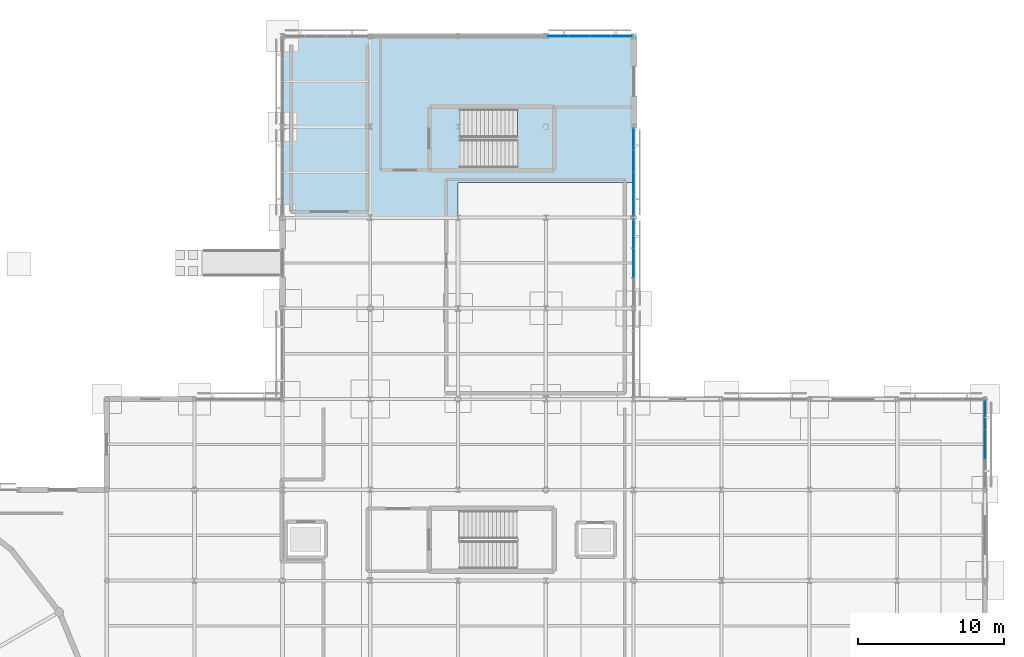
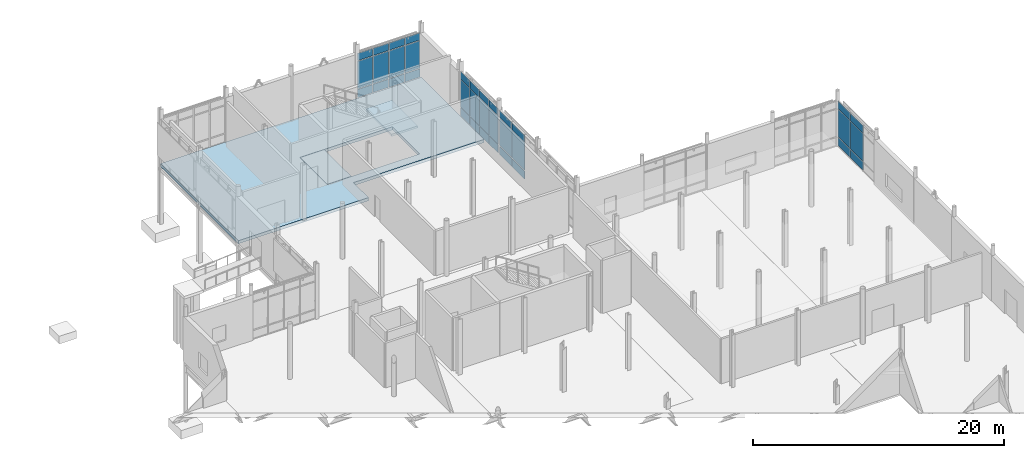
# One storey, part 66 of 98: 36 plates, 3 slabs, 5 elements without a shape of their own.
"""IFC4 building model written with IfcOpenShell, lengths in metres."""

import ifcopenshell
import ifcopenshell.guid

model = None  # the IFC model being written
_history = None  # IfcOwnerHistory: only IFC2X3 demands one
_inside = {}  # id of a spatial element -> (the spatial element, [elements in it])
_under = {}  # id of a project, library or spatial element -> (it, [spatial elements below it])
_declared = {}  # id of a project -> (the project, [libraries it declares])
_typed = {}  # id of a type object -> (the type object, [elements of that type])
_made_of = {}  # id of a material, layer set ... -> (it, [elements and type objects made of it])


def new_model(schema):
    """Start an empty IFC model of exactly this schema.

    Asked for "IFC4X3", IfcOpenShell would pick the latest addendum, in which some entities
    have other attributes; the version numbers below select the first issue.
    IFC2X3 requires an IfcOwnerHistory on every rooted entity: one is made here for all.
    """
    global model, _history
    if schema == "IFC4X3":
        model = ifcopenshell.file(schema_version=(4, 3, 0, 0))
    else:
        model = ifcopenshell.file(schema=schema)
    _inside.clear()
    _under.clear()
    _declared.clear()
    _typed.clear()
    _made_of.clear()
    _history = None
    if model.schema == "IFC2X3":
        org = make("IfcOrganization", Name="unknown")
        user = make(
            "IfcPersonAndOrganization",
            ThePerson=make("IfcPerson", FamilyName="unknown"),
            TheOrganization=org,
        )
        app = make(
            "IfcApplication",
            ApplicationDeveloper=org,
            Version="unknown",
            ApplicationFullName="unknown",
            ApplicationIdentifier="unknown",
        )
        _history = make(
            "IfcOwnerHistory",
            OwningUser=user,
            OwningApplication=app,
            ChangeAction="ADDED",
            CreationDate=0,
        )
    return model


def make(cls, **values):
    """One entity of the class cls with the attributes given. An attribute that is None is left unset."""
    return model.create_entity(
        cls, **{name: value for name, value in values.items() if value is not None}
    )


def rooted(cls, **values):
    """An entity with a GlobalId (a new one), such as an element, a storey or a relation."""
    return make(cls, GlobalId=ifcopenshell.guid.new(), OwnerHistory=_history, **values)


def si_unit(unit_type, name, prefix=None):
    """IfcSIUnit, for example si_unit("LENGTHUNIT", "METRE", prefix="MILLI")."""
    return make("IfcSIUnit", UnitType=unit_type, Prefix=prefix, Name=name)


def assignment(units):
    """IfcUnitAssignment: the units of a project."""
    return None if units is None else make("IfcUnitAssignment", Units=units)


def point(xyz):
    """IfcCartesianPoint."""
    return None if xyz is None else make("IfcCartesianPoint", Coordinates=xyz)


def direction(xyz):
    """IfcDirection."""
    return None if xyz is None else make("IfcDirection", DirectionRatios=xyz)


def frame(location, z_axis=None, x_axis=None):
    """IfcAxis2Placement3D, a coordinate frame: its origin and axes. An axis left out is left unset."""
    return make(
        "IfcAxis2Placement3D",
        Location=point(location),
        Axis=direction(z_axis),
        RefDirection=direction(x_axis),
    )


def frame_2d(location, x_axis=None):
    """IfcAxis2Placement2D, a coordinate frame in the plane: its origin and x axis."""
    return make(
        "IfcAxis2Placement2D", Location=point(location), RefDirection=direction(x_axis)
    )


def origin():
    """The frame at (0, 0, 0) with its axes left unset."""
    return frame((0.0, 0.0, 0.0))


def origin_2d():
    """The frame at (0, 0) in the plane with its x axis left unset."""
    return frame_2d((0.0, 0.0))


def place(relative_to, where):
    """IfcLocalPlacement: puts the frame where relative to a parent placement (None: the world)."""
    return make(
        "IfcLocalPlacement", PlacementRelTo=relative_to, RelativePlacement=where
    )


def context(
    kind, dimensions, precision=None, world=None, true_north=None, identifier=None
):
    """IfcGeometricRepresentationContext, for example the 3D "Model" context."""
    return make(
        "IfcGeometricRepresentationContext",
        ContextIdentifier=identifier,
        ContextType=kind,
        CoordinateSpaceDimension=dimensions,
        Precision=precision,
        WorldCoordinateSystem=world,
        TrueNorth=true_north,
    )


def subcontext(parent, identifier, kind, view, scale=None):
    """IfcGeometricRepresentationSubContext, for example "Body" below "Model"."""
    return make(
        "IfcGeometricRepresentationSubContext",
        ContextIdentifier=identifier,
        ContextType=kind,
        ParentContext=parent,
        TargetScale=scale,
        TargetView=view,
    )


def project(units=None, contexts=None):
    """IfcProject with its units and contexts."""
    return rooted(
        "IfcProject",
        Name="project",
        RepresentationContexts=contexts,
        UnitsInContext=assignment(units),
    )


def spatial(cls, under=None, at=None, **own):
    """A site, building, storey or space (cls), placed at a placement, below another one or the project."""
    s = rooted(cls, ObjectPlacement=at, **own)
    if under is not None:
        _under.setdefault(under.id(), (under, []))[1].append(s)
    return s


def polyline(points):
    """IfcPolyline through the points."""
    return make("IfcPolyline", Points=[point(p) for p in points])


def profile(cls, at=None, kind="AREA", **sizes):
    """A parametric profile (cls). Its sizes go by their IFC names, for example OverallWidth=200.0."""
    return make(cls, ProfileType=kind, Position=at, **sizes)


def rectangle(**sizes):
    """IfcRectangleProfileDef."""
    return profile("IfcRectangleProfileDef", **sizes)


def outline(outer, holes=None, kind="AREA"):
    """IfcArbitraryClosedProfileDef: a profile drawn as a closed curve; with holes, ...WithVoids."""
    if holes is None:
        return make("IfcArbitraryClosedProfileDef", ProfileType=kind, OuterCurve=outer)
    return make(
        "IfcArbitraryProfileDefWithVoids",
        ProfileType=kind,
        OuterCurve=outer,
        InnerCurves=holes,
    )


def extrude(swept, where, along, depth):
    """IfcExtrudedAreaSolid: the profile swept, set in the frame where, extruded along a direction by depth."""
    return make(
        "IfcExtrudedAreaSolid",
        SweptArea=swept,
        Position=where,
        ExtrudedDirection=direction(along),
        Depth=depth,
    )


def shape(context_of_items, identifier, shape_type, items):
    """IfcShapeRepresentation: the items that make up one representation, for example the "Body"."""
    return make(
        "IfcShapeRepresentation",
        ContextOfItems=context_of_items,
        RepresentationIdentifier=identifier,
        RepresentationType=shape_type,
        Items=items,
    )


def material(Name=None, Category=None):
    """IfcMaterial."""
    return make("IfcMaterial", Name=Name, Category=Category)


def layer(
    of_material, thickness, ventilated=None, Name=None, Category=None, Priority=None
):
    """IfcMaterialLayer: one layer of a wall or slab, of a material (None: an air gap)."""
    return make(
        "IfcMaterialLayer",
        Material=of_material,
        LayerThickness=thickness,
        IsVentilated=ventilated,
        Name=Name,
        Category=Category,
        Priority=Priority,
    )


def layer_set(layers, Name=None):
    """IfcMaterialLayerSet."""
    return make("IfcMaterialLayerSet", MaterialLayers=layers, LayerSetName=Name)


def made_of(thing, what):
    """Note that an element or type object is made of a material, layer set ...; save() writes the relation."""
    if what is not None:
        _made_of.setdefault(what.id(), (what, []))[1].append(thing)
    return thing


def type_object(cls, material=None, **own):
    """A type object (cls), such as IfcWallType, which elements share."""
    return made_of(rooted(cls, **own), material)


def element(
    cls,
    number,
    at=None,
    inside=None,
    cuts=None,
    type_object=None,
    material=None,
    context=None,
    identifier="Body",
    shape_type=None,
    held_by="IfcProductDefinitionShape",
    body=None,
    shapes=None,
    **own,
):
    """One element of the class cls, such as IfcWall. Its Tag is "e" and its number.

    at: its placement. inside: the storey or other place that contains it. cuts: it is an
    opening in that element (IfcRelVoidsElement). A single representation is given by context,
    identifier, shape_type and body (its items); several are given by shapes. held_by: the class
    of the entity that holds the representations. save() writes the other relations.
    """
    e = rooted(cls, Tag="e%d" % number, ObjectPlacement=at, **own)
    if body is not None:
        shapes = [shape(context, identifier, shape_type, body)]
    if shapes is not None:
        e.Representation = make(held_by, Representations=shapes)
    if inside is not None:
        _inside.setdefault(inside.id(), (inside, []))[1].append(e)
    if cuts is not None:
        rooted(
            "IfcRelVoidsElement", RelatingBuildingElement=cuts, RelatedOpeningElement=e
        )
    if type_object is not None:
        _typed.setdefault(type_object.id(), (type_object, []))[1].append(e)
    return made_of(e, material)


def aggregate(whole, parts):
    """IfcRelAggregates: a whole, such as a stair, and the parts it consists of."""
    return rooted("IfcRelAggregates", RelatingObject=whole, RelatedObjects=parts)


def save(model, path):
    """Write the relations noted so far, then the file.

    IfcRelAggregates (storeys below a building ...), IfcRelContainedInSpatialStructure (elements
    in a storey), IfcRelDefinesByType, IfcRelAssociatesMaterial and IfcRelDeclares: one each for
    every whole, place, type object, material and project.
    """
    for whole, parts in _under.values():
        aggregate(whole, parts)
    for where, things in _inside.values():
        rooted(
            "IfcRelContainedInSpatialStructure",
            RelatedElements=things,
            RelatingStructure=where,
        )
    for kind, things in _typed.values():
        rooted("IfcRelDefinesByType", RelatedObjects=things, RelatingType=kind)
    for what, things in _made_of.values():
        rooted("IfcRelAssociatesMaterial", RelatedObjects=things, RelatingMaterial=what)
    for by, libraries in _declared.values():
        rooted("IfcRelDeclares", RelatingContext=by, RelatedDefinitions=libraries)
    model.write(path)


model = new_model("IFC4")

# Units and contexts
model_context = context("Model", 3, precision=1e-05, world=origin(), true_north=direction((0.0, 1.0)))
body_context = subcontext(model_context, "Body", "Model", "MODEL_VIEW")
ifc_project = project(units=[si_unit("LENGTHUNIT", "METRE"), si_unit("AREAUNIT", "SQUARE_METRE"), si_unit("VOLUMEUNIT", "CUBIC_METRE"), si_unit("PLANEANGLEUNIT", "RADIAN"), si_unit("MASSUNIT", "GRAM", prefix="KILO")], contexts=[model_context])

# Site, building, storey
site_placement = place(None, origin())
site = spatial("IfcSite", under=ifc_project, at=site_placement, CompositionType="ELEMENT")
building_placement = place(site_placement, origin())
building = spatial("IfcBuilding", under=site, at=building_placement, Name="Mirzam Square Science Centre", CompositionType="ELEMENT")
storey_placement = place(building_placement, origin())
storey = spatial("IfcBuildingStorey", under=building, at=storey_placement, Name="L00", CompositionType="ELEMENT", Elevation=0.0)

# Curtain wall, plates
ifc_material_1 = material(Name="Anodised Aluminium and Low-E Solar Glass", Category="aluminium")
ifc_layer_1 = layer(ifc_material_1, 0.239990234375)
ifc_layer_set_1 = layer_set([ifc_layer_1], Name="CW-EAST-B")
curtain_wall_type_1 = type_object("IfcCurtainWallType", Name="CW-EAST-B", PredefinedType="USERDEFINED", material=ifc_layer_set_1)
curtain_wall_1_placement = place(storey_placement, origin())
curtain_wall_1 = element("IfcCurtainWall", 1, at=curtain_wall_1_placement, inside=storey, type_object=curtain_wall_type_1, Name="L00 unitised curtain wall 77", ObjectType="UNITISED CURTAIN WALL", PredefinedType="USERDEFINED")
ifc_material_2 = material(Name="Double-Silver Low-E Insulated Solar Glass", Category="glass")
ifc_layer_2 = layer(ifc_material_2, 0.028076171875)
ifc_layer_set_2 = layer_set([ifc_layer_2], Name="CWP-GLZ-28")
plate_type_1 = type_object("IfcPlateType", Name="CWP-GLZ-28", PredefinedType="CURTAIN_PANEL", material=ifc_layer_set_2)
plate_1_placement = place(storey_placement, frame((138.0, 96.10009765625, 0.074951171875), z_axis=(0.0, 0.0, 1.0), x_axis=(0.0, 1.0, 0.0)))
plate_1 = element("IfcPlate", 2, at=plate_1_placement, type_object=plate_type_1, Name="CW-06 panel 2.1", PredefinedType="CURTAIN_PANEL", context=body_context, shape_type="SweptSolid", body=[
    extrude(rectangle(XDim=1.955078125, YDim=0.028076171875, at=origin_2d()), origin(), (0.0, 0.0, 1.0), 0.78759765625),
])
plate_2_placement = place(storey_placement, frame((138.0, 96.10009765625, 0.9375), z_axis=(0.0, 0.0, 1.0), x_axis=(0.0, 1.0, 0.0)))
plate_2 = element("IfcPlate", 3, at=plate_2_placement, type_object=plate_type_1, Name="CW-06 panel 2.2", PredefinedType="CURTAIN_PANEL", context=body_context, shape_type="SweptSolid", body=[
    extrude(rectangle(XDim=1.955078125, YDim=0.028076171875, at=origin_2d()), origin(), (0.0, 0.0, 1.0), 2.6650390625),
])
plate_3_placement = place(storey_placement, frame((138.0, 96.10009765625, 3.677490234375), z_axis=(0.0, 0.0, 1.0), x_axis=(0.0, 1.0, 0.0)))
plate_3 = element("IfcPlate", 4, at=plate_3_placement, type_object=plate_type_1, Name="CW-06 panel 2.3", PredefinedType="CURTAIN_PANEL", context=body_context, shape_type="SweptSolid", body=[
    extrude(rectangle(XDim=1.955078125, YDim=0.028076171875, at=origin_2d()), origin(), (0.0, 0.0, 1.0), 0.6875),
])
plate_4_placement = place(storey_placement, frame((138.0, 98.111328125, 0.074951171875), z_axis=(0.0, 0.0, 1.0), x_axis=(0.0, 1.0, 0.0)))
plate_4 = element("IfcPlate", 5, at=plate_4_placement, type_object=plate_type_1, Name="CW-06 panel 3.1", PredefinedType="CURTAIN_PANEL", context=body_context, shape_type="SweptSolid", body=[
    extrude(rectangle(XDim=1.91748046875, YDim=0.028076171875, at=origin_2d()), origin(), (0.0, 0.0, 1.0), 0.78759765625),
])
plate_5_placement = place(storey_placement, frame((138.0, 98.111328125, 0.9375), z_axis=(0.0, 0.0, 1.0), x_axis=(0.0, 1.0, 0.0)))
plate_5 = element("IfcPlate", 6, at=plate_5_placement, type_object=plate_type_1, Name="CW-06 panel 3.2", PredefinedType="CURTAIN_PANEL", context=body_context, shape_type="SweptSolid", body=[
    extrude(rectangle(XDim=1.91748046875, YDim=0.028076171875, at=origin_2d()), origin(), (0.0, 0.0, 1.0), 2.6650390625),
])
plate_6_placement = place(storey_placement, frame((138.0, 98.111328125, 3.677490234375), z_axis=(0.0, 0.0, 1.0), x_axis=(0.0, 1.0, 0.0)))
plate_6 = element("IfcPlate", 7, at=plate_6_placement, type_object=plate_type_1, Name="CW-06 panel 3.3", PredefinedType="CURTAIN_PANEL", context=body_context, shape_type="SweptSolid", body=[
    extrude(rectangle(XDim=1.91748046875, YDim=0.028076171875, at=origin_2d()), origin(), (0.0, 0.0, 1.0), 0.6875),
])
aggregate(curtain_wall_1, [plate_1, plate_2, plate_3, plate_4, plate_5, plate_6])

ifc_layer_3 = layer(ifc_material_1, 0.219970703125)
ifc_layer_set_3 = layer_set([ifc_layer_3], Name="CW-OBS-A")
curtain_wall_type_2 = type_object("IfcCurtainWallType", Name="CW-OBS-A", PredefinedType="USERDEFINED", material=ifc_layer_set_3)
curtain_wall_2_placement = place(storey_placement, origin())
curtain_wall_2 = element("IfcCurtainWall", 8, at=curtain_wall_2_placement, inside=storey, type_object=curtain_wall_type_2, Name="L00 unitised curtain wall 79", ObjectType="UNITISED CURTAIN WALL", PredefinedType="USERDEFINED")
ifc_material_3 = material(Name="Triple-Glazed Acoustic Low-E Solar Glass", Category="glass")
ifc_layer_4 = layer(ifc_material_3, 0.031982421875)
ifc_layer_set_4 = layer_set([ifc_layer_4], Name="CWP-GLZ-32")
plate_type_2 = type_object("IfcPlateType", Name="CWP-GLZ-32", PredefinedType="CURTAIN_PANEL", material=ifc_layer_set_4)
plate_7_placement = place(storey_placement, frame((138.0, 100.03125, 0.06005859375), z_axis=(0.0, 0.0, 1.0), x_axis=(0.0, 1.0, 0.0)))
plate_7 = element("IfcPlate", 9, at=plate_7_placement, type_object=plate_type_2, Name="CW-07 panel 1.1", PredefinedType="CURTAIN_PANEL", context=body_context, shape_type="SweptSolid", body=[
    extrude(rectangle(XDim=1.4326171875, YDim=0.031982421875, at=origin_2d()), origin(), (0.0, 0.0, 1.0), 0.81005859375),
])
plate_8_placement = place(storey_placement, frame((138.0, 100.03125, 0.93017578125), z_axis=(0.0, 0.0, 1.0), x_axis=(0.0, 1.0, 0.0)))
plate_8 = element("IfcPlate", 10, at=plate_8_placement, type_object=plate_type_2, Name="CW-07 panel 1.2", PredefinedType="CURTAIN_PANEL", context=body_context, shape_type="SweptSolid", body=[
    extrude(rectangle(XDim=1.4326171875, YDim=0.031982421875, at=origin_2d()), origin(), (0.0, 0.0, 1.0), 2.679931640625),
])
plate_9_placement = place(storey_placement, frame((138.0, 100.03125, 3.669921875), z_axis=(0.0, 0.0, 1.0), x_axis=(0.0, 1.0, 0.0)))
plate_9 = element("IfcPlate", 11, at=plate_9_placement, type_object=plate_type_2, Name="CW-07 panel 1.3", PredefinedType="CURTAIN_PANEL", context=body_context, shape_type="SweptSolid", body=[
    extrude(rectangle(XDim=1.4326171875, YDim=0.031982421875, at=origin_2d()), origin(), (0.0, 0.0, 1.0), 0.7099609375),
])
plate_10_placement = place(storey_placement, frame((138.0, 101.538818359375, 0.06005859375), z_axis=(0.0, 0.0, 1.0), x_axis=(0.0, 1.0, 0.0)))
plate_10 = element("IfcPlate", 12, at=plate_10_placement, type_object=plate_type_2, Name="CW-07 panel 2.1", PredefinedType="CURTAIN_PANEL", context=body_context, shape_type="SweptSolid", body=[
    extrude(rectangle(XDim=1.46240234375, YDim=0.031982421875, at=origin_2d()), origin(), (0.0, 0.0, 1.0), 0.81005859375),
])
plate_11_placement = place(storey_placement, frame((138.0, 101.538818359375, 0.93017578125), z_axis=(0.0, 0.0, 1.0), x_axis=(0.0, 1.0, 0.0)))
plate_11 = element("IfcPlate", 13, at=plate_11_placement, type_object=plate_type_2, Name="CW-07 panel 2.2", PredefinedType="CURTAIN_PANEL", context=body_context, shape_type="SweptSolid", body=[
    extrude(rectangle(XDim=1.46240234375, YDim=0.031982421875, at=origin_2d()), origin(), (0.0, 0.0, 1.0), 2.679931640625),
])
plate_12_placement = place(storey_placement, frame((138.0, 101.538818359375, 3.669921875), z_axis=(0.0, 0.0, 1.0), x_axis=(0.0, 1.0, 0.0)))
plate_12 = element("IfcPlate", 14, at=plate_12_placement, type_object=plate_type_2, Name="CW-07 panel 2.3", PredefinedType="CURTAIN_PANEL", context=body_context, shape_type="SweptSolid", body=[
    extrude(rectangle(XDim=1.46240234375, YDim=0.031982421875, at=origin_2d()), origin(), (0.0, 0.0, 1.0), 0.7099609375),
])
plate_13_placement = place(storey_placement, frame((138.0, 103.061279296875, 0.06005859375), z_axis=(0.0, 0.0, 1.0), x_axis=(0.0, 1.0, 0.0)))
plate_13 = element("IfcPlate", 15, at=plate_13_placement, type_object=plate_type_2, Name="CW-07 panel 3.1", PredefinedType="CURTAIN_PANEL", context=body_context, shape_type="SweptSolid", body=[
    extrude(rectangle(XDim=1.46240234375, YDim=0.031982421875, at=origin_2d()), origin(), (0.0, 0.0, 1.0), 0.81005859375),
])
plate_14_placement = place(storey_placement, frame((138.0, 103.061279296875, 0.93017578125), z_axis=(0.0, 0.0, 1.0), x_axis=(0.0, 1.0, 0.0)))
plate_14 = element("IfcPlate", 16, at=plate_14_placement, type_object=plate_type_2, Name="CW-07 panel 3.2", PredefinedType="CURTAIN_PANEL", context=body_context, shape_type="SweptSolid", body=[
    extrude(rectangle(XDim=1.46240234375, YDim=0.031982421875, at=origin_2d()), origin(), (0.0, 0.0, 1.0), 2.679931640625),
])
plate_15_placement = place(storey_placement, frame((138.0, 103.061279296875, 3.669921875), z_axis=(0.0, 0.0, 1.0), x_axis=(0.0, 1.0, 0.0)))
plate_15 = element("IfcPlate", 17, at=plate_15_placement, type_object=plate_type_2, Name="CW-07 panel 3.3", PredefinedType="CURTAIN_PANEL", context=body_context, shape_type="SweptSolid", body=[
    extrude(rectangle(XDim=1.46240234375, YDim=0.031982421875, at=origin_2d()), origin(), (0.0, 0.0, 1.0), 0.7099609375),
])
plate_16_placement = place(storey_placement, frame((138.0, 104.56884765625, 0.06005859375), z_axis=(0.0, 0.0, 1.0), x_axis=(0.0, 1.0, 0.0)))
plate_16 = element("IfcPlate", 18, at=plate_16_placement, type_object=plate_type_2, Name="CW-07 panel 4.1", PredefinedType="CURTAIN_PANEL", context=body_context, shape_type="SweptSolid", body=[
    extrude(rectangle(XDim=1.4326171875, YDim=0.031982421875, at=origin_2d()), origin(), (0.0, 0.0, 1.0), 0.81005859375),
])
plate_17_placement = place(storey_placement, frame((138.0, 104.56884765625, 0.93017578125), z_axis=(0.0, 0.0, 1.0), x_axis=(0.0, 1.0, 0.0)))
plate_17 = element("IfcPlate", 19, at=plate_17_placement, type_object=plate_type_2, Name="CW-07 panel 4.2", PredefinedType="CURTAIN_PANEL", context=body_context, shape_type="SweptSolid", body=[
    extrude(rectangle(XDim=1.4326171875, YDim=0.031982421875, at=origin_2d()), origin(), (0.0, 0.0, 1.0), 2.679931640625),
])
plate_18_placement = place(storey_placement, frame((138.0, 104.56884765625, 3.669921875), z_axis=(0.0, 0.0, 1.0), x_axis=(0.0, 1.0, 0.0)))
plate_18 = element("IfcPlate", 20, at=plate_18_placement, type_object=plate_type_2, Name="CW-07 panel 4.3", PredefinedType="CURTAIN_PANEL", context=body_context, shape_type="SweptSolid", body=[
    extrude(rectangle(XDim=1.4326171875, YDim=0.031982421875, at=origin_2d()), origin(), (0.0, 0.0, 1.0), 0.7099609375),
])
aggregate(curtain_wall_2, [plate_7, plate_8, plate_9, plate_10, plate_11, plate_12, plate_13, plate_14, plate_15, plate_16, plate_17, plate_18])

curtain_wall_3_placement = place(storey_placement, origin())
curtain_wall_3 = element("IfcCurtainWall", 21, at=curtain_wall_3_placement, inside=storey, type_object=curtain_wall_type_2, Name="L00 unitised curtain wall 74", ObjectType="UNITISED CURTAIN WALL", PredefinedType="USERDEFINED")
ifc_material_4 = material(Name="Laminated Low-Iron Observatory Solar Glass", Category="glass")
ifc_layer_5 = layer(ifc_material_4, 0.035888671875)
ifc_layer_set_5 = layer_set([ifc_layer_5], Name="CWP-GLZ-36")
plate_type_3 = type_object("IfcPlateType", Name="CWP-GLZ-36", PredefinedType="CURTAIN_PANEL", material=ifc_layer_set_5)
plate_19_placement = place(storey_placement, frame((137.1923828125, 111.60009765625, 0.06494140625), z_axis=(0.0, 0.0, 1.0), x_axis=(-1.0, 0.0, 0.0)))
plate_19 = element("IfcPlate", 22, at=plate_19_placement, type_object=plate_type_3, Name="CW-07 panel 1.1", PredefinedType="CURTAIN_PANEL", context=body_context, shape_type="SweptSolid", body=[
    extrude(rectangle(XDim=1.375, YDim=0.035888671875, at=origin_2d()), origin(), (0.0, 0.0, 1.0), 0.802490234375),
])
plate_20_placement = place(storey_placement, frame((137.1923828125, 111.60009765625, 0.9326171875), z_axis=(0.0, 0.0, 1.0), x_axis=(-1.0, 0.0, 0.0)))
plate_20 = element("IfcPlate", 23, at=plate_20_placement, type_object=plate_type_3, Name="CW-07 panel 1.2", PredefinedType="CURTAIN_PANEL", context=body_context, shape_type="SweptSolid", body=[
    extrude(rectangle(XDim=1.375, YDim=0.035888671875, at=origin_2d()), origin(), (0.0, 0.0, 1.0), 2.675048828125),
])
plate_21_placement = place(storey_placement, frame((137.1923828125, 111.60009765625, 3.67236328125), z_axis=(0.0, 0.0, 1.0), x_axis=(-1.0, 0.0, 0.0)))
plate_21 = element("IfcPlate", 24, at=plate_21_placement, type_object=plate_type_3, Name="CW-07 panel 1.3", PredefinedType="CURTAIN_PANEL", context=body_context, shape_type="SweptSolid", body=[
    extrude(rectangle(XDim=1.375, YDim=0.035888671875, at=origin_2d()), origin(), (0.0, 0.0, 1.0), 0.702392578125),
])
plate_22_placement = place(storey_placement, frame((135.736328125, 111.60009765625, 0.06494140625), z_axis=(0.0, 0.0, 1.0), x_axis=(-1.0, 0.0, 0.0)))
plate_22 = element("IfcPlate", 25, at=plate_22_placement, type_object=plate_type_3, Name="CW-07 panel 2.1", PredefinedType="CURTAIN_PANEL", context=body_context, shape_type="SweptSolid", body=[
    extrude(rectangle(XDim=1.407470703125, YDim=0.035888671875, at=origin_2d()), origin(), (0.0, 0.0, 1.0), 0.802490234375),
])
plate_23_placement = place(storey_placement, frame((135.736328125, 111.60009765625, 0.9326171875), z_axis=(0.0, 0.0, 1.0), x_axis=(-1.0, 0.0, 0.0)))
plate_23 = element("IfcPlate", 26, at=plate_23_placement, type_object=plate_type_3, Name="CW-07 panel 2.2", PredefinedType="CURTAIN_PANEL", context=body_context, shape_type="SweptSolid", body=[
    extrude(rectangle(XDim=1.407470703125, YDim=0.035888671875, at=origin_2d()), origin(), (0.0, 0.0, 1.0), 2.675048828125),
])
plate_24_placement = place(storey_placement, frame((135.736328125, 111.60009765625, 3.67236328125), z_axis=(0.0, 0.0, 1.0), x_axis=(-1.0, 0.0, 0.0)))
plate_24 = element("IfcPlate", 27, at=plate_24_placement, type_object=plate_type_3, Name="CW-07 panel 2.3", PredefinedType="CURTAIN_PANEL", context=body_context, shape_type="SweptSolid", body=[
    extrude(rectangle(XDim=1.407470703125, YDim=0.035888671875, at=origin_2d()), origin(), (0.0, 0.0, 1.0), 0.702392578125),
])
plate_25_placement = place(storey_placement, frame((134.263671875, 111.60009765625, 0.06494140625), z_axis=(0.0, 0.0, 1.0), x_axis=(-1.0, 0.0, 0.0)))
plate_25 = element("IfcPlate", 28, at=plate_25_placement, type_object=plate_type_3, Name="CW-07 panel 3.1", PredefinedType="CURTAIN_PANEL", context=body_context, shape_type="SweptSolid", body=[
    extrude(rectangle(XDim=1.407470703125, YDim=0.035888671875, at=origin_2d()), origin(), (0.0, 0.0, 1.0), 0.802490234375),
])
plate_26_placement = place(storey_placement, frame((134.263671875, 111.60009765625, 0.9326171875), z_axis=(0.0, 0.0, 1.0), x_axis=(-1.0, 0.0, 0.0)))
plate_26 = element("IfcPlate", 29, at=plate_26_placement, type_object=plate_type_3, Name="CW-07 panel 3.2", PredefinedType="CURTAIN_PANEL", context=body_context, shape_type="SweptSolid", body=[
    extrude(rectangle(XDim=1.407470703125, YDim=0.035888671875, at=origin_2d()), origin(), (0.0, 0.0, 1.0), 2.675048828125),
])
plate_27_placement = place(storey_placement, frame((134.263671875, 111.60009765625, 3.67236328125), z_axis=(0.0, 0.0, 1.0), x_axis=(-1.0, 0.0, 0.0)))
plate_27 = element("IfcPlate", 30, at=plate_27_placement, type_object=plate_type_3, Name="CW-07 panel 3.3", PredefinedType="CURTAIN_PANEL", context=body_context, shape_type="SweptSolid", body=[
    extrude(rectangle(XDim=1.407470703125, YDim=0.035888671875, at=origin_2d()), origin(), (0.0, 0.0, 1.0), 0.702392578125),
])
plate_28_placement = place(storey_placement, frame((132.8076171875, 111.60009765625, 0.06494140625), z_axis=(0.0, 0.0, 1.0), x_axis=(-1.0, 0.0, 0.0)))
plate_28 = element("IfcPlate", 31, at=plate_28_placement, type_object=plate_type_3, Name="CW-07 panel 4.1", PredefinedType="CURTAIN_PANEL", context=body_context, shape_type="SweptSolid", body=[
    extrude(rectangle(XDim=1.375, YDim=0.035888671875, at=origin_2d()), origin(), (0.0, 0.0, 1.0), 0.802490234375),
])
plate_29_placement = place(storey_placement, frame((132.8076171875, 111.60009765625, 0.9326171875), z_axis=(0.0, 0.0, 1.0), x_axis=(-1.0, 0.0, 0.0)))
plate_29 = element("IfcPlate", 32, at=plate_29_placement, type_object=plate_type_3, Name="CW-07 panel 4.2", PredefinedType="CURTAIN_PANEL", context=body_context, shape_type="SweptSolid", body=[
    extrude(rectangle(XDim=1.375, YDim=0.035888671875, at=origin_2d()), origin(), (0.0, 0.0, 1.0), 2.675048828125),
])
plate_30_placement = place(storey_placement, frame((132.8076171875, 111.60009765625, 3.67236328125), z_axis=(0.0, 0.0, 1.0), x_axis=(-1.0, 0.0, 0.0)))
plate_30 = element("IfcPlate", 33, at=plate_30_placement, type_object=plate_type_3, Name="CW-07 panel 4.3", PredefinedType="CURTAIN_PANEL", context=body_context, shape_type="SweptSolid", body=[
    extrude(rectangle(XDim=1.375, YDim=0.035888671875, at=origin_2d()), origin(), (0.0, 0.0, 1.0), 0.702392578125),
])
aggregate(curtain_wall_3, [plate_19, plate_20, plate_21, plate_22, plate_23, plate_24, plate_25, plate_26, plate_27, plate_28, plate_29, plate_30])

ifc_layer_6 = layer(ifc_material_1, 0.199951171875)
ifc_layer_set_6 = layer_set([ifc_layer_6], Name="CW-PARK-B")
curtain_wall_type_3 = type_object("IfcCurtainWallType", Name="CW-PARK-B", PredefinedType="USERDEFINED", material=ifc_layer_set_6)
curtain_wall_4_placement = place(storey_placement, origin())
curtain_wall_4 = element("IfcCurtainWall", 34, at=curtain_wall_4_placement, inside=storey, type_object=curtain_wall_type_3, Name="L00 unitised curtain wall 68", ObjectType="UNITISED CURTAIN WALL", PredefinedType="USERDEFINED")
ifc_material_5 = material(Name="Acoustic Laminated Solar Spandrel Glass", Category="glass")
ifc_layer_7 = layer(ifc_material_5, 0.0400390625)
ifc_layer_set_7 = layer_set([ifc_layer_7], Name="CWP-GLZ-40")
plate_type_4 = type_object("IfcPlateType", Name="CWP-GLZ-40", PredefinedType="CURTAIN_PANEL", material=ifc_layer_set_7)
plate_31_placement = place(storey_placement, frame((162.0, 83.699951171875, 0.06005859375), z_axis=(0.0, 0.0, 1.0), x_axis=(0.0, 1.0, 0.0)))
plate_31 = element("IfcPlate", 35, at=plate_31_placement, type_object=plate_type_4, Name="CW-02 panel 2.1", PredefinedType="CURTAIN_PANEL", context=body_context, shape_type="SweptSolid", body=[
    extrude(rectangle(XDim=1.969970703125, YDim=0.0400390625, at=origin_2d()), origin(), (0.0, 0.0, 1.0), 0.81005859375),
])
plate_32_placement = place(storey_placement, frame((162.0, 83.699951171875, 0.93017578125), z_axis=(0.0, 0.0, 1.0), x_axis=(0.0, 1.0, 0.0)))
plate_32 = element("IfcPlate", 36, at=plate_32_placement, type_object=plate_type_4, Name="CW-02 panel 2.2", PredefinedType="CURTAIN_PANEL", context=body_context, shape_type="SweptSolid", body=[
    extrude(rectangle(XDim=1.969970703125, YDim=0.0400390625, at=origin_2d()), origin(), (0.0, 0.0, 1.0), 2.679931640625),
])
plate_33_placement = place(storey_placement, frame((162.0, 83.699951171875, 3.669921875), z_axis=(0.0, 0.0, 1.0), x_axis=(0.0, 1.0, 0.0)))
plate_33 = element("IfcPlate", 37, at=plate_33_placement, type_object=plate_type_4, Name="CW-02 panel 2.3", PredefinedType="CURTAIN_PANEL", context=body_context, shape_type="SweptSolid", body=[
    extrude(rectangle(XDim=1.969970703125, YDim=0.0400390625, at=origin_2d()), origin(), (0.0, 0.0, 1.0), 0.7099609375),
])
plate_34_placement = place(storey_placement, frame((162.0, 85.715087890625, 0.06005859375), z_axis=(0.0, 0.0, 1.0), x_axis=(0.0, 1.0, 0.0)))
plate_34 = element("IfcPlate", 38, at=plate_34_placement, type_object=plate_type_4, Name="CW-02 panel 3.1", PredefinedType="CURTAIN_PANEL", context=body_context, shape_type="SweptSolid", body=[
    extrude(rectangle(XDim=1.93994140625, YDim=0.0400390625, at=origin_2d()), origin(), (0.0, 0.0, 1.0), 0.81005859375),
])
plate_35_placement = place(storey_placement, frame((162.0, 85.715087890625, 0.93017578125), z_axis=(0.0, 0.0, 1.0), x_axis=(0.0, 1.0, 0.0)))
plate_35 = element("IfcPlate", 39, at=plate_35_placement, type_object=plate_type_4, Name="CW-02 panel 3.2", PredefinedType="CURTAIN_PANEL", context=body_context, shape_type="SweptSolid", body=[
    extrude(rectangle(XDim=1.93994140625, YDim=0.0400390625, at=origin_2d()), origin(), (0.0, 0.0, 1.0), 2.679931640625),
])
plate_36_placement = place(storey_placement, frame((162.0, 85.715087890625, 3.669921875), z_axis=(0.0, 0.0, 1.0), x_axis=(0.0, 1.0, 0.0)))
plate_36 = element("IfcPlate", 40, at=plate_36_placement, type_object=plate_type_4, Name="CW-02 panel 3.3", PredefinedType="CURTAIN_PANEL", context=body_context, shape_type="SweptSolid", body=[
    extrude(rectangle(XDim=1.93994140625, YDim=0.0400390625, at=origin_2d()), origin(), (0.0, 0.0, 1.0), 0.7099609375),
])
aggregate(curtain_wall_4, [plate_31, plate_32, plate_33, plate_34, plate_35, plate_36])

# Slab
ifc_material_6 = material(Name="Concrete C45/55", Category="concrete")
ifc_layer_8 = layer(ifc_material_6, 0.300048828125)
ifc_layer_set_8 = layer_set([ifc_layer_8], Name="SL-GND-300")
slab_type_1 = type_object("IfcSlabType", Name="SL-GND-300", PredefinedType="FLOOR", material=ifc_layer_set_8)
slab_1_placement = place(storey_placement, frame((0.0, 0.0, -0.300048828125)))
element("IfcSlab", 41, at=slab_1_placement, inside=storey, type_object=slab_type_1, Name="L00 ne obs base 2 slab", PredefinedType="FLOOR", context=body_context, shape_type="SweptSolid", body=[
    extrude(outline(polyline([(114.0, 111.60009765625), (138.0, 111.60009765625), (138.0, 101.60498046875), (125.9951171875, 101.60498046875), (125.9951171875, 99.205078125), (114.0, 99.205078125), (114.0, 111.60009765625)]), holes=[polyline([(132.56005859375, 106.77001953125), (124.0400390625, 106.77001953125), (124.0400390625, 102.43994140625), (132.56005859375, 102.43994140625), (132.56005859375, 106.77001953125)])]), origin(), (0.0, 0.0, 1.0), 0.300048828125),
])

# Stair, slab
ifc_material_7 = material(Name="Concrete C40/50", Category="concrete")
stair_type = type_object("IfcStairType", Name="ST-CORE-7-540", PredefinedType="HALF_TURN_STAIR", material=ifc_material_7)
stair_placement = place(storey_placement, origin())
stair = element("IfcStair", 42, at=stair_placement, inside=storey, type_object=stair_type, Name="L00 ST-11", PredefinedType="HALF_TURN_STAIR")
ifc_layer_9 = layer(ifc_material_7, 0.199951171875)
ifc_layer_set_9 = layer_set([ifc_layer_9], Name="SL-LANDING-200")
slab_type_2 = type_object("IfcSlabType", Name="SL-LANDING-200", PredefinedType="LANDING", material=ifc_layer_set_9)
slab_2_placement = place(storey_placement, frame((0.0, 0.0, 2.5)))
slab_2 = element("IfcSlab", 43, at=slab_2_placement, type_object=slab_type_2, Name="ST-11 landing 1", PredefinedType="LANDING", context=body_context, shape_type="SweptSolid", body=[
    extrude(outline(polyline([(130.050048828125, 102.550048828125), (132.449951171875, 102.550048828125), (132.449951171875, 106.659912109375), (130.050048828125, 106.659912109375), (130.050048828125, 102.550048828125)])), origin(), (0.0, 0.0, 1.0), 0.199951171875),
])
aggregate(stair, [slab_2])

# Slab
slab_3_placement = place(storey_placement, frame((0.0, 0.0, -0.199951171875)))
element("IfcSlab", 44, at=slab_3_placement, inside=storey, type_object=slab_type_2, Name="L00 CORE-7 floor landing", PredefinedType="LANDING", context=body_context, shape_type="SweptSolid", body=[
    extrude(outline(polyline([(126.280029296875, 102.445068359375), (124.044921875, 102.445068359375), (124.044921875, 106.764892578125), (126.280029296875, 106.764892578125), (126.280029296875, 102.445068359375)])), origin(), (0.0, 0.0, 1.0), 0.199951171875),
])

save(model, "model.ifc")
